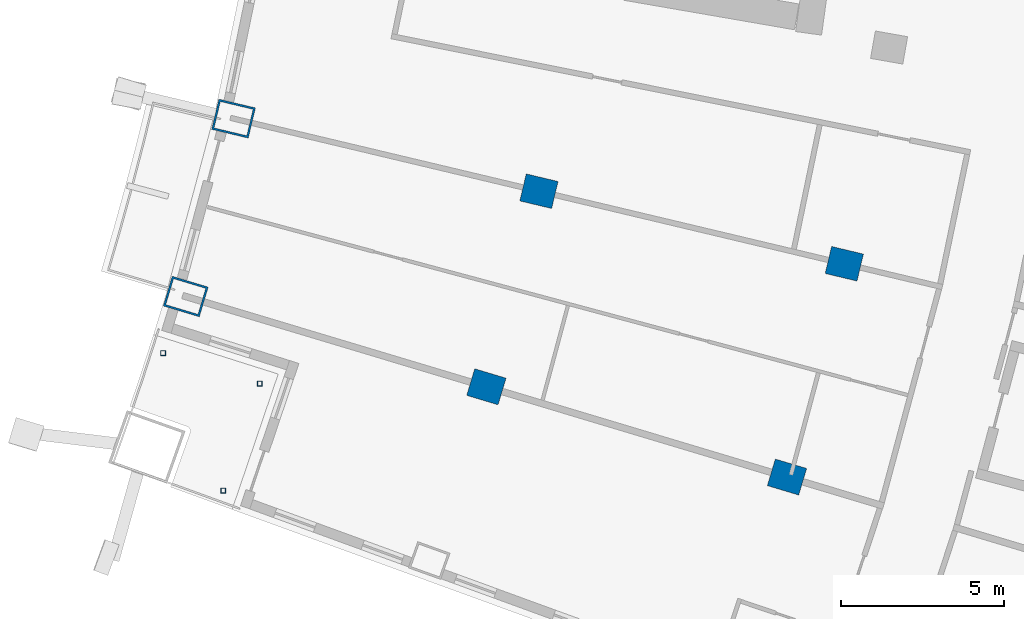
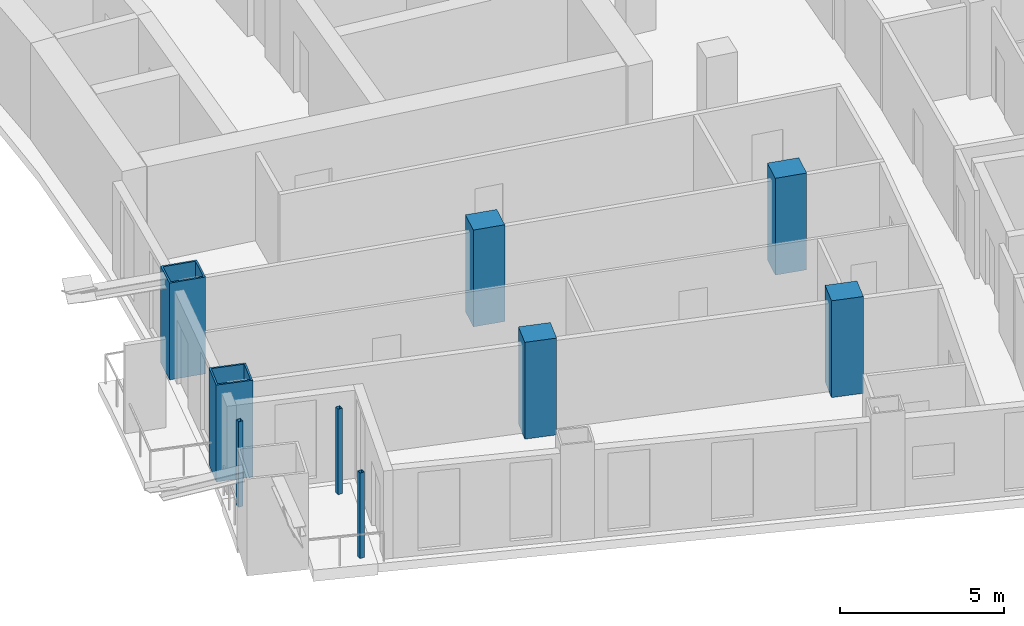
# One storey, part 2 of 23: 9 columns.
"""IFC4 building model written with IfcOpenShell, lengths in metres."""

import ifcopenshell
import ifcopenshell.guid

model = None  # the IFC model being written
_history = None  # IfcOwnerHistory: only IFC2X3 demands one
_inside = {}  # id of a spatial element -> (the spatial element, [elements in it])
_under = {}  # id of a project, library or spatial element -> (it, [spatial elements below it])
_declared = {}  # id of a project -> (the project, [libraries it declares])
_typed = {}  # id of a type object -> (the type object, [elements of that type])
_made_of = {}  # id of a material, layer set ... -> (it, [elements and type objects made of it])


def new_model(schema):
    """Start an empty IFC model of exactly this schema.

    Asked for "IFC4X3", IfcOpenShell would pick the latest addendum, in which some entities
    have other attributes; the version numbers below select the first issue.
    IFC2X3 requires an IfcOwnerHistory on every rooted entity: one is made here for all.
    """
    global model, _history
    if schema == "IFC4X3":
        model = ifcopenshell.file(schema_version=(4, 3, 0, 0))
    else:
        model = ifcopenshell.file(schema=schema)
    _inside.clear()
    _under.clear()
    _declared.clear()
    _typed.clear()
    _made_of.clear()
    _history = None
    if model.schema == "IFC2X3":
        org = make("IfcOrganization", Name="unknown")
        user = make(
            "IfcPersonAndOrganization",
            ThePerson=make("IfcPerson", FamilyName="unknown"),
            TheOrganization=org,
        )
        app = make(
            "IfcApplication",
            ApplicationDeveloper=org,
            Version="unknown",
            ApplicationFullName="unknown",
            ApplicationIdentifier="unknown",
        )
        _history = make(
            "IfcOwnerHistory",
            OwningUser=user,
            OwningApplication=app,
            ChangeAction="ADDED",
            CreationDate=0,
        )
    return model


def make(cls, **values):
    """One entity of the class cls with the attributes given. An attribute that is None is left unset."""
    return model.create_entity(
        cls, **{name: value for name, value in values.items() if value is not None}
    )


def rooted(cls, **values):
    """An entity with a GlobalId (a new one), such as an element, a storey or a relation."""
    return make(cls, GlobalId=ifcopenshell.guid.new(), OwnerHistory=_history, **values)


def si_unit(unit_type, name, prefix=None):
    """IfcSIUnit, for example si_unit("LENGTHUNIT", "METRE", prefix="MILLI")."""
    return make("IfcSIUnit", UnitType=unit_type, Prefix=prefix, Name=name)


def assignment(units):
    """IfcUnitAssignment: the units of a project."""
    return None if units is None else make("IfcUnitAssignment", Units=units)


def point(xyz):
    """IfcCartesianPoint."""
    return None if xyz is None else make("IfcCartesianPoint", Coordinates=xyz)


def direction(xyz):
    """IfcDirection."""
    return None if xyz is None else make("IfcDirection", DirectionRatios=xyz)


def frame(location, z_axis=None, x_axis=None):
    """IfcAxis2Placement3D, a coordinate frame: its origin and axes. An axis left out is left unset."""
    return make(
        "IfcAxis2Placement3D",
        Location=point(location),
        Axis=direction(z_axis),
        RefDirection=direction(x_axis),
    )


def frame_2d(location, x_axis=None):
    """IfcAxis2Placement2D, a coordinate frame in the plane: its origin and x axis."""
    return make(
        "IfcAxis2Placement2D", Location=point(location), RefDirection=direction(x_axis)
    )


def origin():
    """The frame at (0, 0, 0) with its axes left unset."""
    return frame((0.0, 0.0, 0.0))


def origin_2d():
    """The frame at (0, 0) in the plane with its x axis left unset."""
    return frame_2d((0.0, 0.0))


def place(relative_to, where):
    """IfcLocalPlacement: puts the frame where relative to a parent placement (None: the world)."""
    return make(
        "IfcLocalPlacement", PlacementRelTo=relative_to, RelativePlacement=where
    )


def context(
    kind, dimensions, precision=None, world=None, true_north=None, identifier=None
):
    """IfcGeometricRepresentationContext, for example the 3D "Model" context."""
    return make(
        "IfcGeometricRepresentationContext",
        ContextIdentifier=identifier,
        ContextType=kind,
        CoordinateSpaceDimension=dimensions,
        Precision=precision,
        WorldCoordinateSystem=world,
        TrueNorth=true_north,
    )


def subcontext(parent, identifier, kind, view, scale=None):
    """IfcGeometricRepresentationSubContext, for example "Body" below "Model"."""
    return make(
        "IfcGeometricRepresentationSubContext",
        ContextIdentifier=identifier,
        ContextType=kind,
        ParentContext=parent,
        TargetScale=scale,
        TargetView=view,
    )


def project(units=None, contexts=None):
    """IfcProject with its units and contexts."""
    return rooted(
        "IfcProject",
        Name="project",
        RepresentationContexts=contexts,
        UnitsInContext=assignment(units),
    )


def spatial(cls, under=None, at=None, **own):
    """A site, building, storey or space (cls), placed at a placement, below another one or the project."""
    s = rooted(cls, ObjectPlacement=at, **own)
    if under is not None:
        _under.setdefault(under.id(), (under, []))[1].append(s)
    return s


def profile(cls, at=None, kind="AREA", **sizes):
    """A parametric profile (cls). Its sizes go by their IFC names, for example OverallWidth=200.0."""
    return make(cls, ProfileType=kind, Position=at, **sizes)


def rectangle(**sizes):
    """IfcRectangleProfileDef."""
    return profile("IfcRectangleProfileDef", **sizes)


def hollow_rectangle(**sizes):
    """IfcRectangleHollowProfileDef."""
    return profile("IfcRectangleHollowProfileDef", **sizes)


def extrude(swept, where, along, depth):
    """IfcExtrudedAreaSolid: the profile swept, set in the frame where, extruded along a direction by depth."""
    return make(
        "IfcExtrudedAreaSolid",
        SweptArea=swept,
        Position=where,
        ExtrudedDirection=direction(along),
        Depth=depth,
    )


def shape(context_of_items, identifier, shape_type, items):
    """IfcShapeRepresentation: the items that make up one representation, for example the "Body"."""
    return make(
        "IfcShapeRepresentation",
        ContextOfItems=context_of_items,
        RepresentationIdentifier=identifier,
        RepresentationType=shape_type,
        Items=items,
    )


def material(Name=None, Category=None):
    """IfcMaterial."""
    return make("IfcMaterial", Name=Name, Category=Category)


def material_profile(
    of_material, cross_section, Name=None, Category=None, Priority=None
):
    """IfcMaterialProfile: a cross section and its material."""
    return make(
        "IfcMaterialProfile",
        Name=Name,
        Material=of_material,
        Profile=cross_section,
        Priority=Priority,
        Category=Category,
    )


def profile_set(profiles, Name=None, composite=None):
    """IfcMaterialProfileSet."""
    return make(
        "IfcMaterialProfileSet",
        Name=Name,
        MaterialProfiles=profiles,
        CompositeProfile=composite,
    )


def made_of(thing, what):
    """Note that an element or type object is made of a material, layer set ...; save() writes the relation."""
    if what is not None:
        _made_of.setdefault(what.id(), (what, []))[1].append(thing)
    return thing


def type_object(cls, material=None, **own):
    """A type object (cls), such as IfcWallType, which elements share."""
    return made_of(rooted(cls, **own), material)


def element(
    cls,
    number,
    at=None,
    inside=None,
    cuts=None,
    type_object=None,
    material=None,
    context=None,
    identifier="Body",
    shape_type=None,
    held_by="IfcProductDefinitionShape",
    body=None,
    shapes=None,
    **own,
):
    """One element of the class cls, such as IfcWall. Its Tag is "e" and its number.

    at: its placement. inside: the storey or other place that contains it. cuts: it is an
    opening in that element (IfcRelVoidsElement). A single representation is given by context,
    identifier, shape_type and body (its items); several are given by shapes. held_by: the class
    of the entity that holds the representations. save() writes the other relations.
    """
    e = rooted(cls, Tag="e%d" % number, ObjectPlacement=at, **own)
    if body is not None:
        shapes = [shape(context, identifier, shape_type, body)]
    if shapes is not None:
        e.Representation = make(held_by, Representations=shapes)
    if inside is not None:
        _inside.setdefault(inside.id(), (inside, []))[1].append(e)
    if cuts is not None:
        rooted(
            "IfcRelVoidsElement", RelatingBuildingElement=cuts, RelatedOpeningElement=e
        )
    if type_object is not None:
        _typed.setdefault(type_object.id(), (type_object, []))[1].append(e)
    return made_of(e, material)


def aggregate(whole, parts):
    """IfcRelAggregates: a whole, such as a stair, and the parts it consists of."""
    return rooted("IfcRelAggregates", RelatingObject=whole, RelatedObjects=parts)


def save(model, path):
    """Write the relations noted so far, then the file.

    IfcRelAggregates (storeys below a building ...), IfcRelContainedInSpatialStructure (elements
    in a storey), IfcRelDefinesByType, IfcRelAssociatesMaterial and IfcRelDeclares: one each for
    every whole, place, type object, material and project.
    """
    for whole, parts in _under.values():
        aggregate(whole, parts)
    for where, things in _inside.values():
        rooted(
            "IfcRelContainedInSpatialStructure",
            RelatedElements=things,
            RelatingStructure=where,
        )
    for kind, things in _typed.values():
        rooted("IfcRelDefinesByType", RelatedObjects=things, RelatingType=kind)
    for what, things in _made_of.values():
        rooted("IfcRelAssociatesMaterial", RelatedObjects=things, RelatingMaterial=what)
    for by, libraries in _declared.values():
        rooted("IfcRelDeclares", RelatingContext=by, RelatedDefinitions=libraries)
    model.write(path)


model = new_model("IFC4")

# Units and contexts
model_context = context("Model", 3, precision=1e-05, world=origin(), true_north=direction((0.0, 1.0)))
body_context = subcontext(model_context, "Body", "Model", "MODEL_VIEW")
ifc_project = project(units=[si_unit("LENGTHUNIT", "METRE"), si_unit("AREAUNIT", "SQUARE_METRE"), si_unit("VOLUMEUNIT", "CUBIC_METRE"), si_unit("PLANEANGLEUNIT", "RADIAN"), si_unit("MASSUNIT", "GRAM", prefix="KILO")], contexts=[model_context])

# Site, building, storey
site_placement = place(None, origin())
site = spatial("IfcSite", under=ifc_project, at=site_placement, CompositionType="ELEMENT")
building_placement = place(site_placement, origin())
building = spatial("IfcBuilding", under=site, at=building_placement, Name="Alderwake Tower", CompositionType="ELEMENT")
storey_placement = place(building_placement, frame((0.0, 0.0, 100.39990234375)))
storey = spatial("IfcBuildingStorey", under=building, at=storey_placement, Name="L24", CompositionType="ELEMENT", Elevation=100.39990234375)

# Columns
ifc_material_1 = material(Name="Concrete C70/85", Category="concrete")
ifc_material_profile_1 = material_profile(ifc_material_1, rectangle(XDim=0.85009765625, YDim=1.0, at=origin_2d()), Name="RC 1000X850")
ifc_profile_set_1 = profile_set([ifc_material_profile_1], Name="Concrete C70/85")
column_type_1 = type_object("IfcColumnType", Name="Interior column Z2", PredefinedType="COLUMN", material=ifc_profile_set_1)
for number, where, z_axis, x_axis, name in (
    (1, (21.714599609375, 30.46240234375, 0.0), (0.0, 0.0, 1.0), (0.287549418125, 0.957765802342, 0.0), "Column R02-C1"),
    (2, (30.9091796875, 27.701904296875, 0.0), (0.0, 0.0, 1.0), (0.287549418125, 0.957765802342, 0.0), "Column R02-C2"),
    (3, (23.322021484375, 36.444091796875, 0.0), (0.0, 0.0, 1.0), (0.231221547198, 0.972901123502, 0.0), "Column R03-C1"),
    (4, (32.661865234375, 34.224609375, 0.0), (0.0, 0.0, 1.0), (0.231221547198, 0.972901123502, 0.0), "Column R03-C2"),
):
    element("IfcColumn", number, at=place(storey_placement, frame(where, z_axis=z_axis, x_axis=x_axis)), inside=storey, type_object=column_type_1, Name=name, PredefinedType="COLUMN", context=body_context, shape_type="SweptSolid", body=[
        extrude(rectangle(XDim=0.85009765625, YDim=1.0, at=origin_2d()), origin(), (0.0, 0.0, 1.0), 3.60009765625),
    ])
ifc_material_2 = material(Name="Steel ASTM A500 Grade C", Category="steel")
ifc_material_profile_2 = material_profile(ifc_material_2, hollow_rectangle(XDim=0.15234375, YDim=0.15234375, WallThickness=0.0087890625, at=origin_2d()), Name="HSS6X6X3/8")
ifc_profile_set_2 = profile_set([ifc_material_profile_2], Name="Steel ASTM A500 Grade C")
column_type_2 = type_object("IfcColumnType", Name="Light post HSS6X6X3/8", PredefinedType="COLUMN", material=ifc_profile_set_2)
for number, where, z_axis, x_axis, name in (
    (5, (11.82568359375, 31.492919921875, 0.0), (0.0, 0.0, 1.0), (1.0, 0.0, 0.0), "Terrace post RS1"),
    (6, (13.66796875, 27.28759765625, 0.0), (0.0, 0.0, 1.0), (1.0, 0.0, 0.0), "Terrace post RS2"),
    (7, (14.781494140625, 30.558349609375, 0.0), (0.0, 0.0, 1.0), (1.0, 0.0, 0.0), "Terrace post RS3"),
):
    element("IfcColumn", number, at=place(storey_placement, frame(where, z_axis=z_axis, x_axis=x_axis)), inside=storey, type_object=column_type_2, Name=name, PredefinedType="COLUMN", context=body_context, shape_type="SweptSolid", body=[
        extrude(hollow_rectangle(XDim=0.15234375, YDim=0.15234375, WallThickness=0.0087890625, at=origin_2d()), origin(), (0.0, 0.0, 1.0), 3.18017578125),
    ])
ifc_material_3 = material(Name="Steel ASTM A572 Grade 50 concrete filled C70/85", Category="concrete")
ifc_material_profile_3 = material_profile(ifc_material_3, hollow_rectangle(XDim=0.949951171875, YDim=1.14990234375, WallThickness=0.06005859375, at=origin_2d()), Name="BOX 1150X950X60")
ifc_profile_set_3 = profile_set([ifc_material_profile_3], Name="Steel ASTM A572 Grade 50 concrete filled C70/85")
column_type_3 = type_object("IfcColumnType", Name="Perimeter column Z2", PredefinedType="COLUMN", material=ifc_profile_set_3)
for number, where, z_axis, x_axis, name in (
    (8, (12.520263671875, 33.222900390625, 0.0), (0.0, 0.0, 1.0), (0.287549418125, 0.957765802342, 0.0), "Column R02-C0"),
    (9, (13.982177734375, 38.6640625, 0.0), (0.0, 0.0, 1.0), (0.231221547198, 0.972901123502, 0.0), "Column R03-C0"),
):
    element("IfcColumn", number, at=place(storey_placement, frame(where, z_axis=z_axis, x_axis=x_axis)), inside=storey, type_object=column_type_3, Name=name, PredefinedType="COLUMN", context=body_context, shape_type="SweptSolid", body=[
        extrude(hollow_rectangle(XDim=0.949951171875, YDim=1.14990234375, WallThickness=0.06005859375, at=origin_2d()), origin(), (0.0, 0.0, 1.0), 3.60009765625),
    ])

save(model, "model.ifc")
